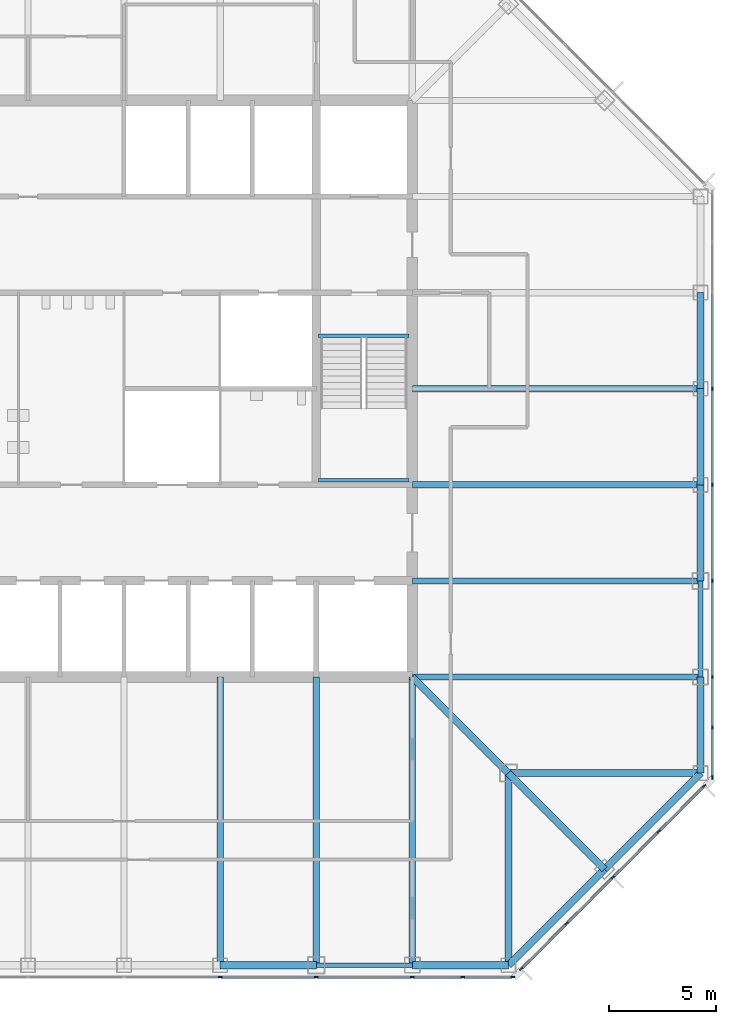
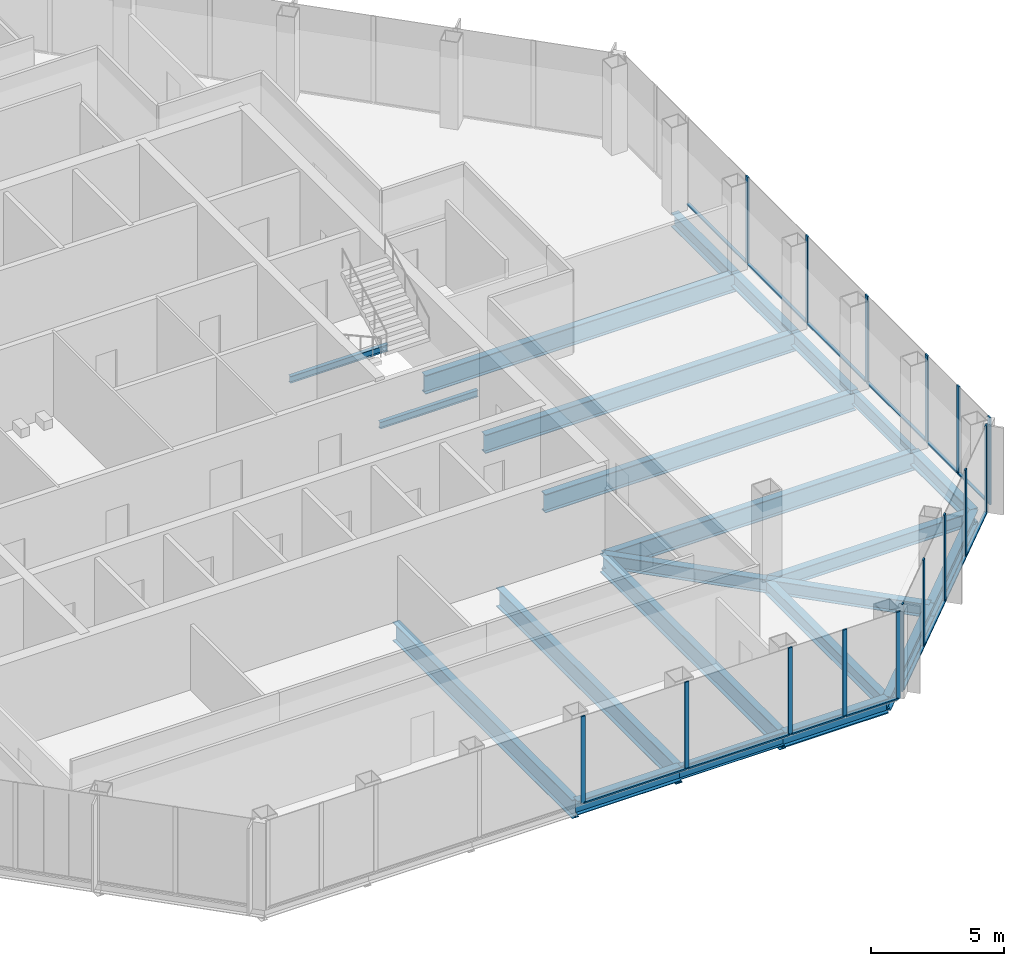
# One storey, part 4 of 13: 30 members, 23 beams, 3 elements without a shape of their own.
"""IFC4 building model written with IfcOpenShell, lengths in metres."""

from ifc_helpers import new_model, si_unit, direction, frame, origin, origin_2d, place, context, subcontext, project, spatial, rectangle, i_section, extrude, material, material_profile, profile_set, type_object, element, aggregate, save


model = new_model("IFC4")

# Units and contexts
model_context = context("Model", 3, precision=1e-05, world=origin(), true_north=direction((0.0, 1.0)))
body_context = subcontext(model_context, "Body", "Model", "MODEL_VIEW")
ifc_project = project(units=[si_unit("LENGTHUNIT", "METRE"), si_unit("AREAUNIT", "SQUARE_METRE"), si_unit("VOLUMEUNIT", "CUBIC_METRE"), si_unit("PLANEANGLEUNIT", "RADIAN"), si_unit("MASSUNIT", "GRAM", prefix="KILO")], contexts=[model_context])

# Site, building, storey
site_placement = place(None, origin())
site = spatial("IfcSite", under=ifc_project, at=site_placement, CompositionType="ELEMENT")
building_placement = place(site_placement, origin())
building = spatial("IfcBuilding", under=site, at=building_placement, Name="Corais Broadcast Tower", CompositionType="ELEMENT")
storey_placement = place(building_placement, frame((0.0, 0.0, 167.60009765625)))
storey = spatial("IfcBuildingStorey", under=building, at=storey_placement, Name="L38", CompositionType="ELEMENT", Elevation=167.60009765625)

# Beams
ifc_material_1 = material(Name="Steel ASTM A572 Grade 50", Category="steel")
ifc_material_profile_1 = material_profile(ifc_material_1, i_section(OverallWidth=0.323974609375, OverallDepth=0.611083984375, WebThickness=0.0126953125, FlangeThickness=0.01904296875, at=origin_2d()), Name="W610x155")
ifc_profile_set_1 = profile_set([ifc_material_profile_1], Name="Steel ASTM A572 Grade 50")
beam_type_1 = type_object("IfcBeamType", Name="Chamfer tie W610x155", PredefinedType="BEAM", material=ifc_profile_set_1)
beam_1_placement = place(storey_placement, frame((49.5, 4.5, -0.465576171875), z_axis=(-0.707106781187, 0.707106781187, 0.0), x_axis=(-0.707106781187, -0.707106781187, 0.0)))
element("IfcBeam", 1, at=beam_1_placement, inside=storey, type_object=beam_type_1, Name="B5 B/14 to C/13", PredefinedType="BEAM", context=body_context, shape_type="SweptSolid", body=[
    extrude(i_section(OverallWidth=0.323974609375, OverallDepth=0.611083984375, WebThickness=0.0126953125, FlangeThickness=0.01904296875, at=origin_2d()), origin(), (0.0, 0.0, 1.0), 6.364013671875),
])
ifc_material_2 = material(Name="Steel ASTM A572 Grade 50", Category="steel")
ifc_material_profile_2 = material_profile(ifc_material_2, i_section(OverallWidth=0.323974609375, OverallDepth=0.611083984375, WebThickness=0.0126953125, FlangeThickness=0.01904296875, at=origin_2d()), Name="W610x155")
ifc_profile_set_2 = profile_set([ifc_material_profile_2], Name="Steel ASTM A572 Grade 50")
beam_type_2 = type_object("IfcBeamType", Name="Corner diagonal W610x155", PredefinedType="BEAM", material=ifc_profile_set_2)
beam_2_placement = place(storey_placement, frame((45.0, 9.0, -0.465576171875), z_axis=(-0.707106781187, 0.707106781187, 0.0), x_axis=(-0.707106781187, -0.707106781187, 0.0)))
element("IfcBeam", 2, at=beam_2_placement, inside=storey, type_object=beam_type_2, Name="B6 C/13 to D/12", PredefinedType="BEAM", context=body_context, shape_type="SweptSolid", body=[
    extrude(i_section(OverallWidth=0.323974609375, OverallDepth=0.611083984375, WebThickness=0.0126953125, FlangeThickness=0.01904296875, at=origin_2d()), origin(), (0.0, 0.0, 1.0), 6.364013671875),
])
ifc_material_3 = material(Name="Steel ASTM A572 Grade 50", Category="steel")
ifc_material_profile_3 = material_profile(ifc_material_3, i_section(OverallWidth=0.323974609375, OverallDepth=0.611083984375, WebThickness=0.0126953125, FlangeThickness=0.01904296875, at=origin_2d()), Name="W610x155")
ifc_profile_set_3 = profile_set([ifc_material_profile_3], Name="Steel ASTM A572 Grade 50")
beam_type_3 = type_object("IfcBeamType", Name="Corner girder W610x155", PredefinedType="BEAM", material=ifc_profile_set_3)
for number, where, z_axis, x_axis, name in (
    (3, (45.0, 0.0, -0.465576171875), (0.0, 1.0, 0.0), (-1.0, 0.0, 0.0), "B4 A/13 to C/13"),
    (4, (54.0, 9.0, -0.465576171875), (-1.0, 0.0, 0.0), (0.0, -1.0, 0.0), "B4 C/15 to C/13"),
):
    element("IfcBeam", number, at=place(storey_placement, frame(where, z_axis=z_axis, x_axis=x_axis)), inside=storey, type_object=beam_type_3, Name=name, PredefinedType="BEAM", context=body_context, shape_type="SweptSolid", body=[
        extrude(i_section(OverallWidth=0.323974609375, OverallDepth=0.611083984375, WebThickness=0.0126953125, FlangeThickness=0.01904296875, at=origin_2d()), origin(), (0.0, 0.0, 1.0), 9.0),
    ])
ifc_material_4 = material(Name="Steel ASTM A572 Grade 50", Category="steel")
ifc_material_profile_4 = material_profile(ifc_material_4, i_section(OverallWidth=0.337890625, OverallDepth=0.677978515625, WebThickness=0.029541015625, FlangeThickness=0.052978515625, at=origin_2d()), Name="W610x415")
ifc_profile_set_4 = profile_set([ifc_material_profile_4], Name="Steel ASTM A572 Grade 50")
beam_type_4 = type_object("IfcBeamType", Name="Corner spandrel W610x415", PredefinedType="BEAM", material=ifc_profile_set_4)
for number, where, z_axis, x_axis, name in (
    (5, (40.5, 0.0, -0.4990234375), (1.0, 0.0, 0.0), (0.0, 1.0, 0.0), "SB10 A/12 to A/13"),
    (6, (54.0, 9.0, -0.4990234375), (0.0, 1.0, 0.0), (-1.0, 0.0, 0.0), "SB10 C/15 to D/15"),
):
    element("IfcBeam", number, at=place(storey_placement, frame(where, z_axis=z_axis, x_axis=x_axis)), inside=storey, type_object=beam_type_4, Name=name, PredefinedType="BEAM", context=body_context, shape_type="SweptSolid", body=[
        extrude(i_section(OverallWidth=0.337890625, OverallDepth=0.677978515625, WebThickness=0.029541015625, FlangeThickness=0.052978515625, at=origin_2d()), origin(), (0.0, 0.0, 1.0), 4.5),
    ])
ifc_material_5 = material(Name="Steel ASTM A572 Grade 50", Category="steel")
ifc_material_profile_5 = material_profile(ifc_material_5, i_section(OverallWidth=0.2939453125, OverallDepth=0.85107421875, WebThickness=0.01611328125, FlangeThickness=0.02685546875, at=origin_2d()), Name="W840x226")
ifc_profile_set_5 = profile_set([ifc_material_profile_5], Name="Steel ASTM A572 Grade 50")
beam_type_5 = type_object("IfcBeamType", Name="Floor beam W840x226", PredefinedType="BEAM", material=ifc_profile_set_5)
for number, where, z_axis, x_axis, name in (
    (7, (31.5, 0.0, -0.585693359375), (0.0, 1.0, 0.0), (-1.0, 0.0, 0.0), "B1 A/10 to D/10"),
    (8, (36.0, 0.0, -0.585693359375), (0.0, 1.0, 0.0), (-1.0, 0.0, 0.0), "B1 A/11 to D/11"),
    (9, (40.5, 0.0, -0.585693359375), (0.0, 1.0, 0.0), (-1.0, 0.0, 0.0), "B1 A/12 to D/12"),
    (10, (54.0, 13.5, -0.585693359375), (-1.0, 0.0, 0.0), (0.0, -1.0, 0.0), "B1 D/15 to D/12"),
    (11, (54.0, 18.0, -0.585693359375), (-1.0, 0.0, 0.0), (0.0, -1.0, 0.0), "B1 E/15 to E/12"),
    (12, (54.0, 22.5, -0.585693359375), (-1.0, 0.0, 0.0), (0.0, -1.0, 0.0), "B1 F/15 to F/12"),
    (13, (54.0, 27.0, -0.585693359375), (-1.0, 0.0, 0.0), (0.0, -1.0, 0.0), "B1 G/15 to G/12"),
):
    element("IfcBeam", number, at=place(storey_placement, frame(where, z_axis=z_axis, x_axis=x_axis)), inside=storey, type_object=beam_type_5, Name=name, PredefinedType="BEAM", context=body_context, shape_type="SweptSolid", body=[
        extrude(i_section(OverallWidth=0.2939453125, OverallDepth=0.85107421875, WebThickness=0.01611328125, FlangeThickness=0.02685546875, at=origin_2d()), origin(), (0.0, 0.0, 1.0), 13.5),
    ])
ifc_material_6 = material(Name="Steel ASTM A572 Grade 50", Category="steel")
ifc_material_profile_6 = material_profile(ifc_material_6, i_section(OverallWidth=0.1650390625, OverallDepth=0.31005859375, WebThickness=0.005859375, FlangeThickness=0.009765625, at=origin_2d()), Name="W310x38.7")
ifc_profile_set_6 = profile_set([ifc_material_profile_6], Name="Steel ASTM A572 Grade 50")
beam_type_6 = type_object("IfcBeamType", Name="Landing trimmer W310x38.7", PredefinedType="BEAM", material=ifc_profile_set_6)
for number, where, z_axis, x_axis, name in (
    (14, (36.10009765625, 29.47509765625, -0.35498046875), (1.0, 0.0, 0.0), (0.0, 1.0, 0.0), "LT1 stair B landing trimmer L38"),
    (15, (36.10009765625, 22.715087890625, 1.64501953125), (1.0, 0.0, 0.0), (0.0, 1.0, 0.0), "LT1 stair B half landing trimmer L38"),
):
    element("IfcBeam", number, at=place(storey_placement, frame(where, z_axis=z_axis, x_axis=x_axis)), inside=storey, type_object=beam_type_6, Name=name, PredefinedType="BEAM", context=body_context, shape_type="SweptSolid", body=[
        extrude(i_section(OverallWidth=0.1650390625, OverallDepth=0.31005859375, WebThickness=0.005859375, FlangeThickness=0.009765625, at=origin_2d()), origin(), (0.0, 0.0, 1.0), 4.25),
    ])

# Curtain wall, members
ifc_material_7 = material(Name="Aluminium and glass", Category="aluminium")
curtain_wall_type = type_object("IfcCurtainWallType", Name="Unitised fritted curtain wall CW2", PredefinedType="NOTDEFINED", material=ifc_material_7)
curtain_wall_1_placement = place(storey_placement, origin())
curtain_wall_1 = element("IfcCurtainWall", 16, at=curtain_wall_1_placement, inside=storey, type_object=curtain_wall_type, Name="CW2 curtain wall L38 6", PredefinedType="NOTDEFINED")
ifc_material_8 = material(Name="Aluminium 6063-T6", Category="aluminium")
ifc_material_profile_7 = material_profile(ifc_material_8, rectangle(XDim=0.06494140625, YDim=0.179931640625, at=origin_2d()), Name="Mullion CW2 65x180")
ifc_profile_set_7 = profile_set([ifc_material_profile_7], Name="Aluminium 6063-T6")
member_type_1 = type_object("IfcMemberType", Name="Mullion CW2 65x180", PredefinedType="MULLION", material=ifc_profile_set_7)
member_1_placement = place(storey_placement, frame((54.550048828125, 27.0, 0.0), z_axis=(0.0, 0.0, 1.0), x_axis=(1.0, 0.0, 0.0)))
member_1 = element("IfcMember", 17, at=member_1_placement, type_object=member_type_1, Name="CW2 mullion 4", PredefinedType="MULLION", context=body_context, shape_type="SweptSolid", body=[
    extrude(rectangle(XDim=0.06494140625, YDim=0.179931640625, at=origin_2d()), origin(), (0.0, 0.0, 1.0), 4.0),
])
member_2_placement = place(storey_placement, frame((54.550048828125, 22.5, 0.0), z_axis=(0.0, 0.0, 1.0), x_axis=(1.0, 0.0, 0.0)))
member_2 = element("IfcMember", 18, at=member_2_placement, type_object=member_type_1, Name="CW2 mullion 5", PredefinedType="MULLION", context=body_context, shape_type="SweptSolid", body=[
    extrude(rectangle(XDim=0.06494140625, YDim=0.179931640625, at=origin_2d()), origin(), (0.0, 0.0, 1.0), 4.0),
])
member_3_placement = place(storey_placement, frame((54.550048828125, 18.0, 0.0), z_axis=(0.0, 0.0, 1.0), x_axis=(1.0, 0.0, 0.0)))
member_3 = element("IfcMember", 19, at=member_3_placement, type_object=member_type_1, Name="CW2 mullion 6", PredefinedType="MULLION", context=body_context, shape_type="SweptSolid", body=[
    extrude(rectangle(XDim=0.06494140625, YDim=0.179931640625, at=origin_2d()), origin(), (0.0, 0.0, 1.0), 4.0),
])
member_4_placement = place(storey_placement, frame((54.550048828125, 13.5, 0.0), z_axis=(0.0, 0.0, 1.0), x_axis=(1.0, 0.0, 0.0)))
member_4 = element("IfcMember", 20, at=member_4_placement, type_object=member_type_1, Name="CW2 mullion 7", PredefinedType="MULLION", context=body_context, shape_type="SweptSolid", body=[
    extrude(rectangle(XDim=0.06494140625, YDim=0.179931640625, at=origin_2d()), origin(), (0.0, 0.0, 1.0), 4.0),
])
member_5_placement = place(storey_placement, frame((54.550048828125, 11.135986328125, 0.0), z_axis=(0.0, 0.0, 1.0), x_axis=(1.0, 0.0, 0.0)))
member_5 = element("IfcMember", 21, at=member_5_placement, type_object=member_type_1, Name="CW2 mullion 8", PredefinedType="MULLION", context=body_context, shape_type="SweptSolid", body=[
    extrude(rectangle(XDim=0.06494140625, YDim=0.179931640625, at=origin_2d()), origin(), (0.0, 0.0, 1.0), 4.0),
])
member_6_placement = place(storey_placement, frame((54.550048828125, 8.8046875, 0.0), z_axis=(0.0, 0.0, 1.0), x_axis=(1.0, 0.0, 0.0)))
member_6 = element("IfcMember", 22, at=member_6_placement, type_object=member_type_1, Name="CW2 mullion 9", PredefinedType="MULLION", context=body_context, shape_type="SweptSolid", body=[
    extrude(rectangle(XDim=0.06494140625, YDim=0.179931640625, at=origin_2d()), origin(), (0.0, 0.0, 1.0), 4.0),
])

curtain_wall_2_placement = place(storey_placement, origin())
curtain_wall_2 = element("IfcCurtainWall", 23, at=curtain_wall_2_placement, inside=storey, type_object=curtain_wall_type, Name="CW2 curtain wall L38 7", PredefinedType="NOTDEFINED")
member_7_placement = place(storey_placement, frame((54.17333984375, 8.3955078125, 0.0), z_axis=(0.0, 0.0, 1.0), x_axis=(0.707106781187, -0.707106781187, 0.0)))
member_7 = element("IfcMember", 24, at=member_7_placement, type_object=member_type_1, Name="CW2 mullion 1", PredefinedType="MULLION", context=body_context, shape_type="SweptSolid", body=[
    extrude(rectangle(XDim=0.06494140625, YDim=0.179931640625, at=origin_2d()), origin(), (0.0, 0.0, 1.0), 4.0),
])
member_8_placement = place(storey_placement, frame((52.042724609375, 6.264892578125, 0.0), z_axis=(0.0, 0.0, 1.0), x_axis=(0.707106781187, -0.707106781187, 0.0)))
member_8 = element("IfcMember", 25, at=member_8_placement, type_object=member_type_1, Name="CW2 mullion 2", PredefinedType="MULLION", context=body_context, shape_type="SweptSolid", body=[
    extrude(rectangle(XDim=0.06494140625, YDim=0.179931640625, at=origin_2d()), origin(), (0.0, 0.0, 1.0), 4.0),
])
member_9_placement = place(storey_placement, frame((49.888916015625, 4.111083984375, 0.0), z_axis=(0.0, 0.0, 1.0), x_axis=(0.707106781187, -0.707106781187, 0.0)))
member_9 = element("IfcMember", 26, at=member_9_placement, type_object=member_type_1, Name="CW2 mullion 3", PredefinedType="MULLION", context=body_context, shape_type="SweptSolid", body=[
    extrude(rectangle(XDim=0.06494140625, YDim=0.179931640625, at=origin_2d()), origin(), (0.0, 0.0, 1.0), 4.0),
])
member_10_placement = place(storey_placement, frame((47.735107421875, 1.957275390625, 0.0), z_axis=(0.0, 0.0, 1.0), x_axis=(0.707106781187, -0.707106781187, 0.0)))
member_10 = element("IfcMember", 27, at=member_10_placement, type_object=member_type_1, Name="CW2 mullion 4", PredefinedType="MULLION", context=body_context, shape_type="SweptSolid", body=[
    extrude(rectangle(XDim=0.06494140625, YDim=0.179931640625, at=origin_2d()), origin(), (0.0, 0.0, 1.0), 4.0),
])
member_11_placement = place(storey_placement, frame((45.6044921875, -0.17333984375, 0.0), z_axis=(0.0, 0.0, 1.0), x_axis=(0.707106781187, -0.707106781187, 0.0)))
member_11 = element("IfcMember", 28, at=member_11_placement, type_object=member_type_1, Name="CW2 mullion 5", PredefinedType="MULLION", context=body_context, shape_type="SweptSolid", body=[
    extrude(rectangle(XDim=0.06494140625, YDim=0.179931640625, at=origin_2d()), origin(), (0.0, 0.0, 1.0), 4.0),
])

curtain_wall_3_placement = place(storey_placement, origin())
curtain_wall_3 = element("IfcCurtainWall", 29, at=curtain_wall_3_placement, inside=storey, type_object=curtain_wall_type, Name="CW2 curtain wall L38 8", PredefinedType="NOTDEFINED")
member_12_placement = place(storey_placement, frame((45.1953125, -0.550048828125, 0.0), z_axis=(0.0, 0.0, 1.0), x_axis=(0.0, -1.0, 0.0)))
member_12 = element("IfcMember", 30, at=member_12_placement, type_object=member_type_1, Name="CW2 mullion 1", PredefinedType="MULLION", context=body_context, shape_type="SweptSolid", body=[
    extrude(rectangle(XDim=0.06494140625, YDim=0.179931640625, at=origin_2d()), origin(), (0.0, 0.0, 1.0), 4.0),
])
member_13_placement = place(storey_placement, frame((42.864013671875, -0.550048828125, 0.0), z_axis=(0.0, 0.0, 1.0), x_axis=(0.0, -1.0, 0.0)))
member_13 = element("IfcMember", 31, at=member_13_placement, type_object=member_type_1, Name="CW2 mullion 2", PredefinedType="MULLION", context=body_context, shape_type="SweptSolid", body=[
    extrude(rectangle(XDim=0.06494140625, YDim=0.179931640625, at=origin_2d()), origin(), (0.0, 0.0, 1.0), 4.0),
])
member_14_placement = place(storey_placement, frame((40.5, -0.550048828125, 0.0), z_axis=(0.0, 0.0, 1.0), x_axis=(0.0, -1.0, 0.0)))
member_14 = element("IfcMember", 32, at=member_14_placement, type_object=member_type_1, Name="CW2 mullion 3", PredefinedType="MULLION", context=body_context, shape_type="SweptSolid", body=[
    extrude(rectangle(XDim=0.06494140625, YDim=0.179931640625, at=origin_2d()), origin(), (0.0, 0.0, 1.0), 4.0),
])
member_15_placement = place(storey_placement, frame((36.0, -0.550048828125, 0.0), z_axis=(0.0, 0.0, 1.0), x_axis=(0.0, -1.0, 0.0)))
member_15 = element("IfcMember", 33, at=member_15_placement, type_object=member_type_1, Name="CW2 mullion 4", PredefinedType="MULLION", context=body_context, shape_type="SweptSolid", body=[
    extrude(rectangle(XDim=0.06494140625, YDim=0.179931640625, at=origin_2d()), origin(), (0.0, 0.0, 1.0), 4.0),
])
member_16_placement = place(storey_placement, frame((31.5, -0.550048828125, 0.0), z_axis=(0.0, 0.0, 1.0), x_axis=(0.0, -1.0, 0.0)))
member_16 = element("IfcMember", 34, at=member_16_placement, type_object=member_type_1, Name="CW2 mullion 5", PredefinedType="MULLION", context=body_context, shape_type="SweptSolid", body=[
    extrude(rectangle(XDim=0.06494140625, YDim=0.179931640625, at=origin_2d()), origin(), (0.0, 0.0, 1.0), 4.0),
])

# Beams
ifc_material_9 = material(Name="Steel ASTM A572 Grade 50", Category="steel")
ifc_material_profile_8 = material_profile(ifc_material_9, i_section(OverallWidth=0.22900390625, OverallDepth=0.612060546875, WebThickness=0.011962890625, FlangeThickness=0.01953125, at=origin_2d()), Name="W610x125")
ifc_profile_set_8 = profile_set([ifc_material_profile_8], Name="Steel ASTM A572 Grade 50")
beam_type_7 = type_object("IfcBeamType", Name="Pinned spandrel W610x125", PredefinedType="BEAM", material=ifc_profile_set_8)
for number, where, z_axis, x_axis, name in (
    (35, (36.0, 0.0, -0.466064453125), (1.0, 0.0, 0.0), (0.0, 1.0, 0.0), "SB7 A/11 to A/12"),
    (36, (54.0, 13.5, -0.466064453125), (0.0, 1.0, 0.0), (-1.0, 0.0, 0.0), "SB7 D/15 to E/15"),
):
    element("IfcBeam", number, at=place(storey_placement, frame(where, z_axis=z_axis, x_axis=x_axis)), inside=storey, type_object=beam_type_7, Name=name, PredefinedType="BEAM", context=body_context, shape_type="SweptSolid", body=[
        extrude(i_section(OverallWidth=0.22900390625, OverallDepth=0.612060546875, WebThickness=0.011962890625, FlangeThickness=0.01953125, at=origin_2d()), origin(), (0.0, 0.0, 1.0), 4.5),
    ])
ifc_material_10 = material(Name="Steel ASTM A572 Grade 50", Category="steel")
ifc_material_profile_9 = material_profile(ifc_material_10, i_section(OverallWidth=0.3291015625, OverallDepth=0.635009765625, WebThickness=0.017822265625, FlangeThickness=0.031005859375, at=origin_2d()), Name="W610x241")
ifc_profile_set_9 = profile_set([ifc_material_profile_9], Name="Steel ASTM A572 Grade 50")
beam_type_8 = type_object("IfcBeamType", Name="Spandrel W610x241", PredefinedType="BEAM", material=ifc_profile_set_9)
beam_3_placement = place(storey_placement, frame((31.5, 0.0, -0.4775390625), z_axis=(1.0, 0.0, 0.0), x_axis=(0.0, 1.0, 0.0)))
element("IfcBeam", 37, at=beam_3_placement, inside=storey, type_object=beam_type_8, Name="SB1 A/10 to A/11", PredefinedType="BEAM", context=body_context, shape_type="SweptSolid", body=[
    extrude(i_section(OverallWidth=0.3291015625, OverallDepth=0.635009765625, WebThickness=0.017822265625, FlangeThickness=0.031005859375, at=origin_2d()), origin(), (0.0, 0.0, 1.0), 4.5),
])
for number, where, z_axis, x_axis, name in (
    (38, (45.0, 0.0, -0.4775390625), (0.707106781187, 0.707106781187, 0.0), (-0.707106781187, 0.707106781187, 0.0), "SB1 A/13 to B/14"),
    (39, (49.5, 4.5, -0.4775390625), (0.707106781187, 0.707106781187, 0.0), (-0.707106781187, 0.707106781187, 0.0), "SB1 B/14 to C/15"),
):
    element("IfcBeam", number, at=place(storey_placement, frame(where, z_axis=z_axis, x_axis=x_axis)), inside=storey, type_object=beam_type_8, Name=name, PredefinedType="BEAM", context=body_context, shape_type="SweptSolid", body=[
        extrude(i_section(OverallWidth=0.3291015625, OverallDepth=0.635009765625, WebThickness=0.017822265625, FlangeThickness=0.031005859375, at=origin_2d()), origin(), (0.0, 0.0, 1.0), 6.364013671875),
    ])
for number, where, z_axis, x_axis, name in (
    (40, (54.0, 18.0, -0.4775390625), (0.0, 1.0, 0.0), (-1.0, 0.0, 0.0), "SB1 E/15 to F/15"),
    (41, (54.0, 22.5, -0.4775390625), (0.0, 1.0, 0.0), (-1.0, 0.0, 0.0), "SB1 F/15 to G/15"),
    (42, (54.0, 27.0, -0.4775390625), (0.0, 1.0, 0.0), (-1.0, 0.0, 0.0), "SB1 G/15 to H/15"),
):
    element("IfcBeam", number, at=place(storey_placement, frame(where, z_axis=z_axis, x_axis=x_axis)), inside=storey, type_object=beam_type_8, Name=name, PredefinedType="BEAM", context=body_context, shape_type="SweptSolid", body=[
        extrude(i_section(OverallWidth=0.3291015625, OverallDepth=0.635009765625, WebThickness=0.017822265625, FlangeThickness=0.031005859375, at=origin_2d()), origin(), (0.0, 0.0, 1.0), 4.5),
    ])

# Member
ifc_material_11 = material(Name="Aluminium 6063-T6", Category="aluminium")
ifc_material_profile_10 = material_profile(ifc_material_11, rectangle(XDim=0.1298828125, YDim=0.06494140625, at=origin_2d()), Name="Transom CW2 65x130")
ifc_profile_set_10 = profile_set([ifc_material_profile_10], Name="Aluminium 6063-T6")
member_type_2 = type_object("IfcMemberType", Name="Transom CW2 65x130", PredefinedType="USERDEFINED", material=ifc_profile_set_10)
member_17_placement = place(storey_placement, frame((54.550048828125, 31.467529296875, 0.032470703125), z_axis=(0.0, -1.0, 0.0), x_axis=(1.0, 0.0, 0.0)))
member_17 = element("IfcMember", 43, at=member_17_placement, type_object=member_type_2, Name="CW2 transom 3.1", ObjectType="TRANSOM", PredefinedType="USERDEFINED", context=body_context, shape_type="SweptSolid", body=[
    extrude(rectangle(XDim=0.1298828125, YDim=0.06494140625, at=origin_2d()), origin(), (0.0, 0.0, 1.0), 4.43505859375),
])

member_18_placement = place(storey_placement, frame((54.550048828125, 26.967529296875, 0.032470703125), z_axis=(0.0, -1.0, 0.0), x_axis=(1.0, 0.0, 0.0)))
member_18 = element("IfcMember", 44, at=member_18_placement, type_object=member_type_2, Name="CW2 transom 4.1", ObjectType="TRANSOM", PredefinedType="USERDEFINED", context=body_context, shape_type="SweptSolid", body=[
    extrude(rectangle(XDim=0.1298828125, YDim=0.06494140625, at=origin_2d()), origin(), (0.0, 0.0, 1.0), 4.43505859375),
])

member_19_placement = place(storey_placement, frame((54.550048828125, 22.467529296875, 0.032470703125), z_axis=(0.0, -1.0, 0.0), x_axis=(1.0, 0.0, 0.0)))
member_19 = element("IfcMember", 45, at=member_19_placement, type_object=member_type_2, Name="CW2 transom 5.1", ObjectType="TRANSOM", PredefinedType="USERDEFINED", context=body_context, shape_type="SweptSolid", body=[
    extrude(rectangle(XDim=0.1298828125, YDim=0.06494140625, at=origin_2d()), origin(), (0.0, 0.0, 1.0), 4.43505859375),
])

member_20_placement = place(storey_placement, frame((54.550048828125, 17.967529296875, 0.032470703125), z_axis=(0.0, -1.0, 0.0), x_axis=(1.0, 0.0, 0.0)))
member_20 = element("IfcMember", 46, at=member_20_placement, type_object=member_type_2, Name="CW2 transom 6.1", ObjectType="TRANSOM", PredefinedType="USERDEFINED", context=body_context, shape_type="SweptSolid", body=[
    extrude(rectangle(XDim=0.1298828125, YDim=0.06494140625, at=origin_2d()), origin(), (0.0, 0.0, 1.0), 4.43505859375),
])

member_21_placement = place(storey_placement, frame((54.550048828125, 13.467529296875, 0.032470703125), z_axis=(0.0, -1.0, 0.0), x_axis=(1.0, 0.0, 0.0)))
member_21 = element("IfcMember", 47, at=member_21_placement, type_object=member_type_2, Name="CW2 transom 7.1", ObjectType="TRANSOM", PredefinedType="USERDEFINED", context=body_context, shape_type="SweptSolid", body=[
    extrude(rectangle(XDim=0.1298828125, YDim=0.06494140625, at=origin_2d()), origin(), (0.0, 0.0, 1.0), 2.298828125),
])

member_22_placement = place(storey_placement, frame((54.550048828125, 11.103515625, 0.032470703125), z_axis=(0.0, -1.0, 0.0), x_axis=(1.0, 0.0, 0.0)))
member_22 = element("IfcMember", 48, at=member_22_placement, type_object=member_type_2, Name="CW2 transom 8.1", ObjectType="TRANSOM", PredefinedType="USERDEFINED", context=body_context, shape_type="SweptSolid", body=[
    extrude(rectangle(XDim=0.1298828125, YDim=0.06494140625, at=origin_2d()), origin(), (0.0, 0.0, 1.0), 2.266357421875),
])

aggregate(curtain_wall_1, [member_1, member_2, member_3, member_4, member_5, member_6, member_17, member_18, member_19, member_20, member_21, member_22])

member_23_placement = place(storey_placement, frame((54.150390625, 8.37255859375, 0.032470703125), z_axis=(-0.707106781187, -0.707106781187, 0.0), x_axis=(0.707106781187, -0.707106781187, 0.0)))
member_23 = element("IfcMember", 49, at=member_23_placement, type_object=member_type_2, Name="CW2 transom 1.1", ObjectType="TRANSOM", PredefinedType="USERDEFINED", context=body_context, shape_type="SweptSolid", body=[
    extrude(rectangle(XDim=0.1298828125, YDim=0.06494140625, at=origin_2d()), origin(), (0.0, 0.0, 1.0), 2.9482421875),
])

member_24_placement = place(storey_placement, frame((52.019775390625, 6.241943359375, 0.032470703125), z_axis=(-0.707106781187, -0.707106781187, 0.0), x_axis=(0.707106781187, -0.707106781187, 0.0)))
member_24 = element("IfcMember", 50, at=member_24_placement, type_object=member_type_2, Name="CW2 transom 2.1", ObjectType="TRANSOM", PredefinedType="USERDEFINED", context=body_context, shape_type="SweptSolid", body=[
    extrude(rectangle(XDim=0.1298828125, YDim=0.06494140625, at=origin_2d()), origin(), (0.0, 0.0, 1.0), 2.98095703125),
])

member_25_placement = place(storey_placement, frame((49.865966796875, 4.088134765625, 0.032470703125), z_axis=(-0.707106781187, -0.707106781187, 0.0), x_axis=(0.707106781187, -0.707106781187, 0.0)))
member_25 = element("IfcMember", 51, at=member_25_placement, type_object=member_type_2, Name="CW2 transom 3.1", ObjectType="TRANSOM", PredefinedType="USERDEFINED", context=body_context, shape_type="SweptSolid", body=[
    extrude(rectangle(XDim=0.1298828125, YDim=0.06494140625, at=origin_2d()), origin(), (0.0, 0.0, 1.0), 2.98095703125),
])

member_26_placement = place(storey_placement, frame((47.712158203125, 1.934326171875, 0.032470703125), z_axis=(-0.707106781187, -0.707106781187, 0.0), x_axis=(0.707106781187, -0.707106781187, 0.0)))
member_26 = element("IfcMember", 52, at=member_26_placement, type_object=member_type_2, Name="CW2 transom 4.1", ObjectType="TRANSOM", PredefinedType="USERDEFINED", context=body_context, shape_type="SweptSolid", body=[
    extrude(rectangle(XDim=0.1298828125, YDim=0.06494140625, at=origin_2d()), origin(), (0.0, 0.0, 1.0), 2.9482421875),
])

aggregate(curtain_wall_2, [member_7, member_8, member_9, member_10, member_11, member_23, member_24, member_25, member_26])

member_27_placement = place(storey_placement, frame((45.162841796875, -0.550048828125, 0.032470703125), z_axis=(-1.0, 0.0, 0.0), x_axis=(0.0, -1.0, 0.0)))
member_27 = element("IfcMember", 53, at=member_27_placement, type_object=member_type_2, Name="CW2 transom 1.1", ObjectType="TRANSOM", PredefinedType="USERDEFINED", context=body_context, shape_type="SweptSolid", body=[
    extrude(rectangle(XDim=0.1298828125, YDim=0.06494140625, at=origin_2d()), origin(), (0.0, 0.0, 1.0), 2.266357421875),
])

member_28_placement = place(storey_placement, frame((42.831298828125, -0.550048828125, 0.032470703125), z_axis=(-1.0, 0.0, 0.0), x_axis=(0.0, -1.0, 0.0)))
member_28 = element("IfcMember", 54, at=member_28_placement, type_object=member_type_2, Name="CW2 transom 2.1", ObjectType="TRANSOM", PredefinedType="USERDEFINED", context=body_context, shape_type="SweptSolid", body=[
    extrude(rectangle(XDim=0.1298828125, YDim=0.06494140625, at=origin_2d()), origin(), (0.0, 0.0, 1.0), 2.298828125),
])

member_29_placement = place(storey_placement, frame((40.467529296875, -0.550048828125, 0.032470703125), z_axis=(-1.0, 0.0, 0.0), x_axis=(0.0, -1.0, 0.0)))
member_29 = element("IfcMember", 55, at=member_29_placement, type_object=member_type_2, Name="CW2 transom 3.1", ObjectType="TRANSOM", PredefinedType="USERDEFINED", context=body_context, shape_type="SweptSolid", body=[
    extrude(rectangle(XDim=0.1298828125, YDim=0.06494140625, at=origin_2d()), origin(), (0.0, 0.0, 1.0), 4.43505859375),
])

member_30_placement = place(storey_placement, frame((35.967529296875, -0.550048828125, 0.032470703125), z_axis=(-1.0, 0.0, 0.0), x_axis=(0.0, -1.0, 0.0)))
member_30 = element("IfcMember", 56, at=member_30_placement, type_object=member_type_2, Name="CW2 transom 4.1", ObjectType="TRANSOM", PredefinedType="USERDEFINED", context=body_context, shape_type="SweptSolid", body=[
    extrude(rectangle(XDim=0.1298828125, YDim=0.06494140625, at=origin_2d()), origin(), (0.0, 0.0, 1.0), 4.43505859375),
])

aggregate(curtain_wall_3, [member_12, member_13, member_14, member_15, member_16, member_27, member_28, member_29, member_30])

save(model, "model.ifc")
